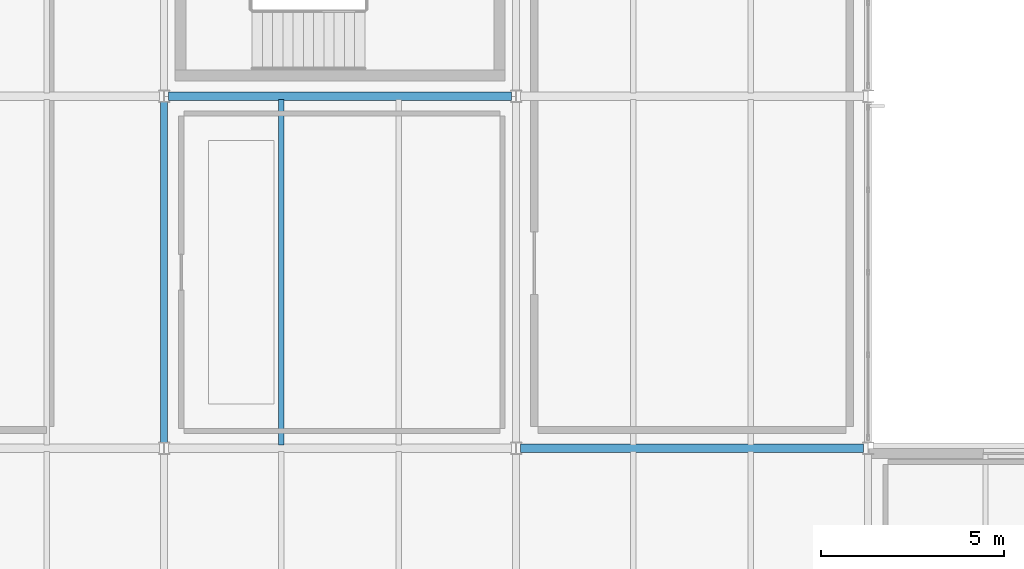
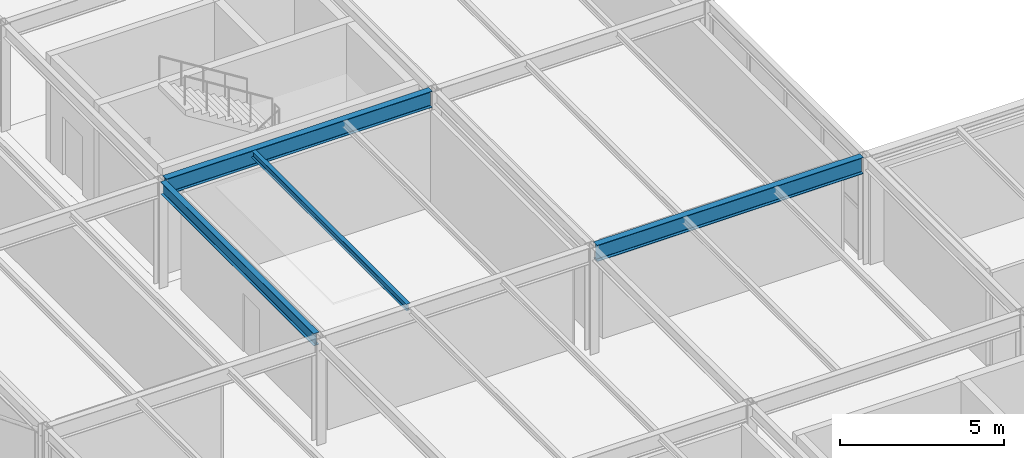
# One storey, part 19 of 126: 4 beams.
"""IFC4 building model written with IfcOpenShell, lengths in metres."""

from ifc_helpers import new_model, si_unit, direction, frame, origin, origin_2d, place, context, subcontext, project, spatial, i_section, extrude, material, material_profile, profile_set, type_object, element, save


model = new_model("IFC4")

# Units and contexts
model_context = context("Model", 3, precision=1e-05, world=origin(), true_north=direction((0.0, 1.0)))
body_context = subcontext(model_context, "Body", "Model", "MODEL_VIEW")
ifc_project = project(units=[si_unit("LENGTHUNIT", "METRE"), si_unit("AREAUNIT", "SQUARE_METRE"), si_unit("VOLUMEUNIT", "CUBIC_METRE"), si_unit("PLANEANGLEUNIT", "RADIAN"), si_unit("MASSUNIT", "GRAM", prefix="KILO")], contexts=[model_context])

# Site, building, storey
site_placement = place(None, origin())
site = spatial("IfcSite", under=ifc_project, at=site_placement, CompositionType="ELEMENT")
building_placement = place(site_placement, origin())
building = spatial("IfcBuilding", under=site, at=building_placement, Name="Coralgate Yard Interchange", CompositionType="ELEMENT")
storey_placement = place(building_placement, frame((0.0, 0.0, 10.5)))
storey = spatial("IfcBuildingStorey", under=building, at=storey_placement, Name="L02", CompositionType="ELEMENT", Elevation=10.5)

# Beams
ifc_material = material(Name="Structural steel S355J2", Category="steel")
ifc_material_profile_1 = material_profile(ifc_material, i_section(OverallWidth=0.1904296875, OverallDepth=0.45703125, WebThickness=0.009033203125, FlangeThickness=0.014404296875, FilletRadius=0.01025390625, at=origin_2d()), Name="UB 457x191x74")
ifc_profile_set_1 = profile_set([ifc_material_profile_1], Name="Structural steel S355J2")
beam_type_1 = type_object("IfcBeamType", Name="BM-SB-2", PredefinedType="BEAM", material=ifc_profile_set_1)
beam_1_placement = place(storey_placement, frame((9.60009765625, 19.33984375, 3.721435546875), z_axis=(0.0, 1.0, 0.0), x_axis=(-1.0, 0.0, 0.0)))
element("IfcBeam", 1, at=beam_1_placement, inside=storey, type_object=beam_type_1, Name="L02 primary grid girder X1 Y2-3", PredefinedType="BEAM", context=body_context, shape_type="SweptSolid", body=[
    extrude(i_section(OverallWidth=0.1904296875, OverallDepth=0.45703125, WebThickness=0.009033203125, FlangeThickness=0.014404296875, FilletRadius=0.01025390625, at=origin_2d()), origin(), (0.0, 0.0, 1.0), 9.320068359375),
])
ifc_material_profile_2 = material_profile(ifc_material, i_section(OverallWidth=0.228271484375, OverallDepth=0.607666015625, WebThickness=0.010986328125, FlangeThickness=0.017333984375, FilletRadius=0.0126953125, at=origin_2d()), Name="UB 610x229x113")
ifc_profile_set_2 = profile_set([ifc_material_profile_2], Name="Structural steel S355J2")
beam_type_2 = type_object("IfcBeamType", Name="BM-SG-5", PredefinedType="BEAM", material=ifc_profile_set_2)
for number, where, z_axis, x_axis, name in (
    (2, (19.3271484375, 19.199951171875, 3.646240234375), (1.0, 0.0, 0.0), (0.0, 1.0, 0.0), "L02 primary grid beam Y2 X2-3"),
    (3, (9.727294921875, 28.800048828125, 3.646240234375), (1.0, 0.0, 0.0), (0.0, 1.0, 0.0), "L02 primary grid beam Y3 X1-2"),
):
    element("IfcBeam", number, at=place(storey_placement, frame(where, z_axis=z_axis, x_axis=x_axis)), inside=storey, type_object=beam_type_2, Name=name, PredefinedType="BEAM", context=body_context, shape_type="SweptSolid", body=[
        extrude(i_section(OverallWidth=0.228271484375, OverallDepth=0.607666015625, WebThickness=0.010986328125, FlangeThickness=0.017333984375, FilletRadius=0.0126953125, at=origin_2d()), origin(), (0.0, 0.0, 1.0), 9.345458984375),
    ])
ifc_material_profile_3 = material_profile(ifc_material, i_section(OverallWidth=0.14599609375, OverallDepth=0.25146484375, WebThickness=0.006103515625, FlangeThickness=0.008544921875, FilletRadius=0.007568359375, at=origin_2d()), Name="UB 254x146x31")
ifc_profile_set_3 = profile_set([ifc_material_profile_3], Name="Structural steel S355J2")
beam_type_3 = type_object("IfcBeamType", Name="BM-SJ-2", PredefinedType="JOIST", material=ifc_profile_set_3)
beam_2_placement = place(storey_placement, frame((12.800048828125, 19.2841796875, 3.82421875), z_axis=(0.0, 1.0, 0.0), x_axis=(-1.0, 0.0, 0.0)))
element("IfcBeam", 4, at=beam_2_placement, inside=storey, type_object=beam_type_3, Name="L02 composite floor joist 1-2-1", PredefinedType="JOIST", context=body_context, shape_type="SweptSolid", body=[
    extrude(i_section(OverallWidth=0.14599609375, OverallDepth=0.25146484375, WebThickness=0.006103515625, FlangeThickness=0.008544921875, FilletRadius=0.007568359375, at=origin_2d()), origin(), (0.0, 0.0, 1.0), 9.431640625),
])

save(model, "model.ifc")
